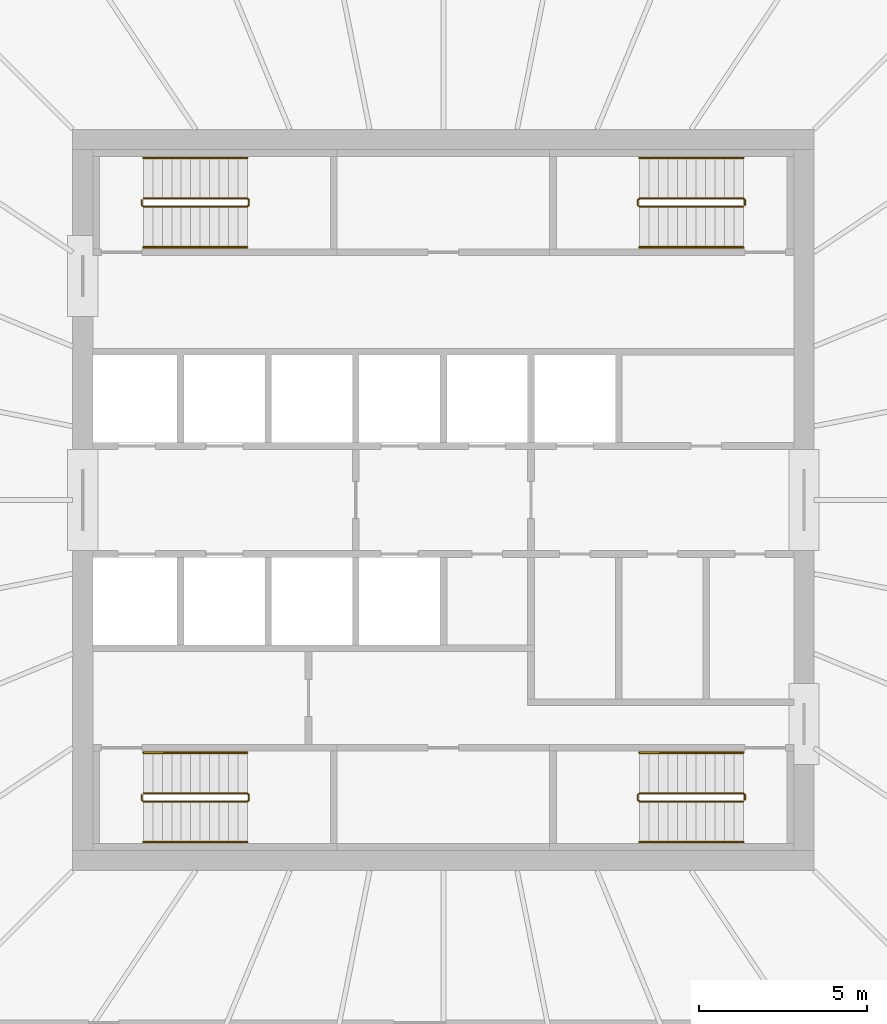
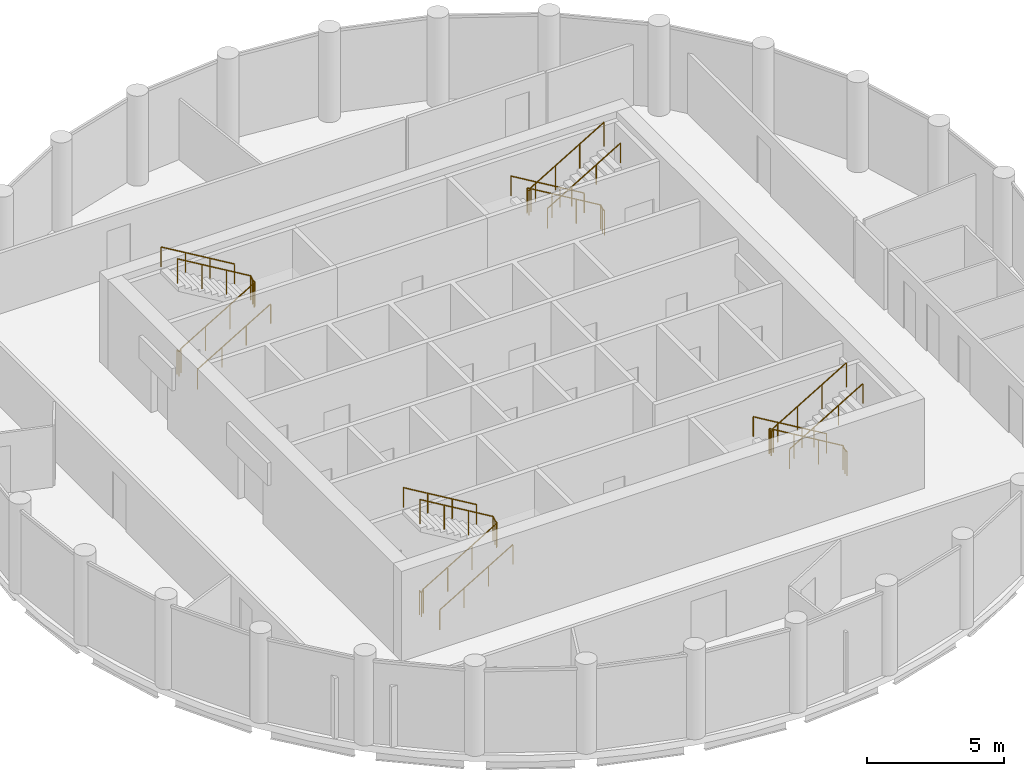
# One storey, part 7 of 7: 12 railings.
"""IFC4 building model written with IfcOpenShell, lengths in metres."""

from ifc_helpers import new_model, si_unit, direction, frame, origin, origin_2d, place, context, subcontext, project, spatial, circle, extrude, material, type_object, element, save


model = new_model("IFC4")

# Units and contexts
model_context = context("Model", 3, precision=1e-05, world=origin(), true_north=direction((0.0, 1.0)))
body_context = subcontext(model_context, "Body", "Model", "MODEL_VIEW")
ifc_project = project(units=[si_unit("LENGTHUNIT", "METRE"), si_unit("AREAUNIT", "SQUARE_METRE"), si_unit("VOLUMEUNIT", "CUBIC_METRE"), si_unit("PLANEANGLEUNIT", "RADIAN"), si_unit("MASSUNIT", "GRAM", prefix="KILO")], contexts=[model_context])

# Site, building, storey
site_placement = place(None, origin())
site = spatial("IfcSite", under=ifc_project, at=site_placement, CompositionType="ELEMENT")
building_placement = place(site_placement, origin())
building = spatial("IfcBuilding", under=site, at=building_placement, Name="Corvane Civic Tower", CompositionType="ELEMENT")
storey_placement = place(building_placement, frame((0.0, 0.0, 360.5)))
storey = spatial("IfcBuildingStorey", under=building, at=storey_placement, Name="L86", CompositionType="ELEMENT", Elevation=360.5)

# Railings
ifc_material_1 = material(Name="Steel ASTM A572 Gr 50", Category="steel")
railing_type_1 = type_object("IfcRailingType", Name="ST-GUARD-1100", PredefinedType="GUARDRAIL", material=ifc_material_1)
railing_1_placement = place(storey_placement, frame((8.949951171875, 8.75, 0.0)))
element("IfcRailing", 1, at=railing_1_placement, inside=storey, type_object=railing_type_1, Name="L86 ST1 stair guard 1", PredefinedType="GUARDRAIL", context=body_context, shape_type="SweptSolid", body=[
    extrude(circle(Radius=0.02392578125, at=origin_2d()), frame((0.0, 0.0, 1.076171875), z_axis=(0.0, 1.0, 0.0), x_axis=(-1.0, 0.0, 0.0)), (0.0, 0.0, 1.0), 0.14990234375),
    extrude(circle(Radius=0.02392578125, at=origin_2d()), frame((0.0, 0.14990234375, 1.076171875), z_axis=(-0.27628659633, 0.27628659633, 0.920506074601), x_axis=(-0.707106781187, -0.707106781187, 0.0)), (0.0, 0.0, 1.0), 0.18115234375),
    extrude(circle(Radius=0.02392578125, at=origin_2d()), frame((-0.050048828125, 0.199951171875, 1.24267578125), z_axis=(-0.859290745958, 0.0, 0.51148745235), x_axis=(0.0, -1.0, 0.0)), (0.0, 0.0, 1.0), 3.584228515625),
    extrude(circle(Radius=0.02392578125, at=origin_2d()), frame((-3.1298828125, 0.199951171875, 3.076171875), z_axis=(-0.707106781187, -0.707106781187, 0.0), x_axis=(0.707106781187, -0.707106781187, 0.0)), (0.0, 0.0, 1.0), 0.07080078125),
    extrude(circle(Radius=0.02392578125, at=origin_2d()), frame((-3.179931640625, 0.14990234375, 3.076171875), z_axis=(0.0, -1.0, 0.0), x_axis=(1.0, 0.0, 0.0)), (0.0, 0.0, 1.0), 0.14990234375),
    extrude(circle(Radius=0.02392578125, at=origin_2d()), frame((-3.179931640625, 0.0, 3.076171875), z_axis=(0.27628659633, -0.27628659633, 0.920506074601), x_axis=(0.707106781187, 0.707106781187, 0.0)), (0.0, 0.0, 1.0), 0.18115234375),
    extrude(circle(Radius=0.02392578125, at=origin_2d()), frame((-3.1298828125, -0.050048828125, 3.24267578125), z_axis=(0.859290745958, 0.0, 0.51148745235), x_axis=(0.0, 1.0, 0.0)), (0.0, 0.0, 1.0), 3.584228515625),
    extrude(circle(Radius=0.02099609375, at=origin_2d()), origin(), (0.0, 0.0, 1.0), 1.052001953125),
    extrude(circle(Radius=0.02099609375, at=origin_2d()), frame((0.0, 0.14990234375, 0.0)), (0.0, 0.0, 1.0), 1.052001953125),
    extrude(circle(Radius=0.02099609375, at=origin_2d()), frame((-0.050048828125, 0.199951171875, 0.166748046875)), (0.0, 0.0, 1.0), 1.052001953125),
    extrude(circle(Radius=0.02099609375, at=origin_2d()), frame((-1.07666015625, 0.199951171875, 0.77783203125)), (0.0, 0.0, 1.0), 1.052001953125),
    extrude(circle(Radius=0.02099609375, at=origin_2d()), frame((-2.103271484375, 0.199951171875, 1.388916015625)), (0.0, 0.0, 1.0), 1.052001953125),
    extrude(circle(Radius=0.02099609375, at=origin_2d()), frame((-3.1298828125, 0.199951171875, 2.0)), (0.0, 0.0, 1.0), 1.052001953125),
    extrude(circle(Radius=0.02099609375, at=origin_2d()), frame((-3.179931640625, 0.14990234375, 2.0)), (0.0, 0.0, 1.0), 1.052001953125),
    extrude(circle(Radius=0.02099609375, at=origin_2d()), frame((-3.179931640625, 0.0, 2.0)), (0.0, 0.0, 1.0), 1.052001953125),
    extrude(circle(Radius=0.02099609375, at=origin_2d()), frame((-3.1298828125, -0.050048828125, 2.166748046875)), (0.0, 0.0, 1.0), 1.052001953125),
    extrude(circle(Radius=0.02099609375, at=origin_2d()), frame((-2.103271484375, -0.050048828125, 2.77783203125)), (0.0, 0.0, 1.0), 1.052001953125),
    extrude(circle(Radius=0.02099609375, at=origin_2d()), frame((-1.07666015625, -0.050048828125, 3.388916015625)), (0.0, 0.0, 1.0), 1.052001953125),
    extrude(circle(Radius=0.02099609375, at=origin_2d()), frame((-0.050048828125, -0.050048828125, 4.0)), (0.0, 0.0, 1.0), 1.052001953125),
])
railing_2_placement = place(storey_placement, frame((8.949951171875, -8.89990234375, 0.0)))
element("IfcRailing", 2, at=railing_2_placement, inside=storey, type_object=railing_type_1, Name="L86 ST2 stair guard 1", PredefinedType="GUARDRAIL", context=body_context, shape_type="SweptSolid", body=[
    extrude(circle(Radius=0.02392578125, at=origin_2d()), frame((0.0, 0.0, 1.076171875), z_axis=(0.0, 1.0, 0.0), x_axis=(-1.0, 0.0, 0.0)), (0.0, 0.0, 1.0), 0.14990234375),
    extrude(circle(Radius=0.02392578125, at=origin_2d()), frame((0.0, 0.14990234375, 1.076171875), z_axis=(-0.27628659633, 0.27628659633, 0.920506074601), x_axis=(-0.707106781187, -0.707106781187, 0.0)), (0.0, 0.0, 1.0), 0.18115234375),
    extrude(circle(Radius=0.02392578125, at=origin_2d()), frame((-0.050048828125, 0.199951171875, 1.24267578125), z_axis=(-0.859290745958, 0.0, 0.51148745235), x_axis=(0.0, -1.0, 0.0)), (0.0, 0.0, 1.0), 3.584228515625),
    extrude(circle(Radius=0.02392578125, at=origin_2d()), frame((-3.1298828125, 0.199951171875, 3.076171875), z_axis=(-0.707106781187, -0.707106781187, 0.0), x_axis=(0.707106781187, -0.707106781187, 0.0)), (0.0, 0.0, 1.0), 0.07080078125),
    extrude(circle(Radius=0.02392578125, at=origin_2d()), frame((-3.179931640625, 0.14990234375, 3.076171875), z_axis=(0.0, -1.0, 0.0), x_axis=(1.0, 0.0, 0.0)), (0.0, 0.0, 1.0), 0.14990234375),
    extrude(circle(Radius=0.02392578125, at=origin_2d()), frame((-3.179931640625, 0.0, 3.076171875), z_axis=(0.27628659633, -0.27628659633, 0.920506074601), x_axis=(0.707106781187, 0.707106781187, 0.0)), (0.0, 0.0, 1.0), 0.18115234375),
    extrude(circle(Radius=0.02392578125, at=origin_2d()), frame((-3.1298828125, -0.050048828125, 3.24267578125), z_axis=(0.859290745958, 0.0, 0.51148745235), x_axis=(0.0, 1.0, 0.0)), (0.0, 0.0, 1.0), 3.584228515625),
    extrude(circle(Radius=0.02099609375, at=origin_2d()), origin(), (0.0, 0.0, 1.0), 1.052001953125),
    extrude(circle(Radius=0.02099609375, at=origin_2d()), frame((0.0, 0.14990234375, 0.0)), (0.0, 0.0, 1.0), 1.052001953125),
    extrude(circle(Radius=0.02099609375, at=origin_2d()), frame((-0.050048828125, 0.199951171875, 0.166748046875)), (0.0, 0.0, 1.0), 1.052001953125),
    extrude(circle(Radius=0.02099609375, at=origin_2d()), frame((-1.07666015625, 0.199951171875, 0.77783203125)), (0.0, 0.0, 1.0), 1.052001953125),
    extrude(circle(Radius=0.02099609375, at=origin_2d()), frame((-2.103271484375, 0.199951171875, 1.388916015625)), (0.0, 0.0, 1.0), 1.052001953125),
    extrude(circle(Radius=0.02099609375, at=origin_2d()), frame((-3.1298828125, 0.199951171875, 2.0)), (0.0, 0.0, 1.0), 1.052001953125),
    extrude(circle(Radius=0.02099609375, at=origin_2d()), frame((-3.179931640625, 0.14990234375, 2.0)), (0.0, 0.0, 1.0), 1.052001953125),
    extrude(circle(Radius=0.02099609375, at=origin_2d()), frame((-3.179931640625, 0.0, 2.0)), (0.0, 0.0, 1.0), 1.052001953125),
    extrude(circle(Radius=0.02099609375, at=origin_2d()), frame((-3.1298828125, -0.050048828125, 2.166748046875)), (0.0, 0.0, 1.0), 1.052001953125),
    extrude(circle(Radius=0.02099609375, at=origin_2d()), frame((-2.103271484375, -0.050048828125, 2.77783203125)), (0.0, 0.0, 1.0), 1.052001953125),
    extrude(circle(Radius=0.02099609375, at=origin_2d()), frame((-1.07666015625, -0.050048828125, 3.388916015625)), (0.0, 0.0, 1.0), 1.052001953125),
    extrude(circle(Radius=0.02099609375, at=origin_2d()), frame((-0.050048828125, -0.050048828125, 4.0)), (0.0, 0.0, 1.0), 1.052001953125),
])
railing_3_placement = place(storey_placement, frame((-8.949951171875, -8.75, 0.0)))
element("IfcRailing", 3, at=railing_3_placement, inside=storey, type_object=railing_type_1, Name="L86 ST3 stair guard 1", PredefinedType="GUARDRAIL", context=body_context, shape_type="SweptSolid", body=[
    extrude(circle(Radius=0.02392578125, at=origin_2d()), frame((0.0, 0.0, 1.076171875), z_axis=(0.0, -1.0, 0.0), x_axis=(1.0, 0.0, 0.0)), (0.0, 0.0, 1.0), 0.14990234375),
    extrude(circle(Radius=0.02392578125, at=origin_2d()), frame((0.0, -0.14990234375, 1.076171875), z_axis=(0.27628659633, -0.27628659633, 0.920506074601), x_axis=(0.707106781187, 0.707106781187, 0.0)), (0.0, 0.0, 1.0), 0.18115234375),
    extrude(circle(Radius=0.02392578125, at=origin_2d()), frame((0.050048828125, -0.199951171875, 1.24267578125), z_axis=(0.859290745958, 0.0, 0.51148745235), x_axis=(0.0, 1.0, 0.0)), (0.0, 0.0, 1.0), 3.584228515625),
    extrude(circle(Radius=0.02392578125, at=origin_2d()), frame((3.1298828125, -0.199951171875, 3.076171875), z_axis=(0.707106781187, 0.707106781187, 0.0), x_axis=(-0.707106781187, 0.707106781187, 0.0)), (0.0, 0.0, 1.0), 0.07080078125),
    extrude(circle(Radius=0.02392578125, at=origin_2d()), frame((3.179931640625, -0.14990234375, 3.076171875), z_axis=(0.0, 1.0, 0.0), x_axis=(-1.0, 0.0, 0.0)), (0.0, 0.0, 1.0), 0.14990234375),
    extrude(circle(Radius=0.02392578125, at=origin_2d()), frame((3.179931640625, 0.0, 3.076171875), z_axis=(-0.27628659633, 0.27628659633, 0.920506074601), x_axis=(-0.707106781187, -0.707106781187, 0.0)), (0.0, 0.0, 1.0), 0.18115234375),
    extrude(circle(Radius=0.02392578125, at=origin_2d()), frame((3.1298828125, 0.050048828125, 3.24267578125), z_axis=(-0.859290745958, 0.0, 0.51148745235), x_axis=(0.0, -1.0, 0.0)), (0.0, 0.0, 1.0), 3.584228515625),
    extrude(circle(Radius=0.02099609375, at=origin_2d()), origin(), (0.0, 0.0, 1.0), 1.052001953125),
    extrude(circle(Radius=0.02099609375, at=origin_2d()), frame((0.0, -0.14990234375, 0.0)), (0.0, 0.0, 1.0), 1.052001953125),
    extrude(circle(Radius=0.02099609375, at=origin_2d()), frame((0.050048828125, -0.199951171875, 0.166748046875)), (0.0, 0.0, 1.0), 1.052001953125),
    extrude(circle(Radius=0.02099609375, at=origin_2d()), frame((1.07666015625, -0.199951171875, 0.77783203125)), (0.0, 0.0, 1.0), 1.052001953125),
    extrude(circle(Radius=0.02099609375, at=origin_2d()), frame((2.103271484375, -0.199951171875, 1.388916015625)), (0.0, 0.0, 1.0), 1.052001953125),
    extrude(circle(Radius=0.02099609375, at=origin_2d()), frame((3.1298828125, -0.199951171875, 2.0)), (0.0, 0.0, 1.0), 1.052001953125),
    extrude(circle(Radius=0.02099609375, at=origin_2d()), frame((3.179931640625, -0.14990234375, 2.0)), (0.0, 0.0, 1.0), 1.052001953125),
    extrude(circle(Radius=0.02099609375, at=origin_2d()), frame((3.179931640625, 0.0, 2.0)), (0.0, 0.0, 1.0), 1.052001953125),
    extrude(circle(Radius=0.02099609375, at=origin_2d()), frame((3.1298828125, 0.050048828125, 2.166748046875)), (0.0, 0.0, 1.0), 1.052001953125),
    extrude(circle(Radius=0.02099609375, at=origin_2d()), frame((2.103271484375, 0.050048828125, 2.77783203125)), (0.0, 0.0, 1.0), 1.052001953125),
    extrude(circle(Radius=0.02099609375, at=origin_2d()), frame((1.07666015625, 0.050048828125, 3.388916015625)), (0.0, 0.0, 1.0), 1.052001953125),
    extrude(circle(Radius=0.02099609375, at=origin_2d()), frame((0.050048828125, 0.050048828125, 4.0)), (0.0, 0.0, 1.0), 1.052001953125),
])
railing_4_placement = place(storey_placement, frame((-8.949951171875, 8.89990234375, 0.0)))
element("IfcRailing", 4, at=railing_4_placement, inside=storey, type_object=railing_type_1, Name="L86 ST4 stair guard 1", PredefinedType="GUARDRAIL", context=body_context, shape_type="SweptSolid", body=[
    extrude(circle(Radius=0.02392578125, at=origin_2d()), frame((0.0, 0.0, 1.076171875), z_axis=(0.0, -1.0, 0.0), x_axis=(1.0, 0.0, 0.0)), (0.0, 0.0, 1.0), 0.14990234375),
    extrude(circle(Radius=0.02392578125, at=origin_2d()), frame((0.0, -0.14990234375, 1.076171875), z_axis=(0.27628659633, -0.27628659633, 0.920506074601), x_axis=(0.707106781187, 0.707106781187, 0.0)), (0.0, 0.0, 1.0), 0.18115234375),
    extrude(circle(Radius=0.02392578125, at=origin_2d()), frame((0.050048828125, -0.199951171875, 1.24267578125), z_axis=(0.859290745958, 0.0, 0.51148745235), x_axis=(0.0, 1.0, 0.0)), (0.0, 0.0, 1.0), 3.584228515625),
    extrude(circle(Radius=0.02392578125, at=origin_2d()), frame((3.1298828125, -0.199951171875, 3.076171875), z_axis=(0.707106781187, 0.707106781187, 0.0), x_axis=(-0.707106781187, 0.707106781187, 0.0)), (0.0, 0.0, 1.0), 0.07080078125),
    extrude(circle(Radius=0.02392578125, at=origin_2d()), frame((3.179931640625, -0.14990234375, 3.076171875), z_axis=(0.0, 1.0, 0.0), x_axis=(-1.0, 0.0, 0.0)), (0.0, 0.0, 1.0), 0.14990234375),
    extrude(circle(Radius=0.02392578125, at=origin_2d()), frame((3.179931640625, 0.0, 3.076171875), z_axis=(-0.27628659633, 0.27628659633, 0.920506074601), x_axis=(-0.707106781187, -0.707106781187, 0.0)), (0.0, 0.0, 1.0), 0.18115234375),
    extrude(circle(Radius=0.02392578125, at=origin_2d()), frame((3.1298828125, 0.050048828125, 3.24267578125), z_axis=(-0.859290745958, 0.0, 0.51148745235), x_axis=(0.0, -1.0, 0.0)), (0.0, 0.0, 1.0), 3.584228515625),
    extrude(circle(Radius=0.02099609375, at=origin_2d()), origin(), (0.0, 0.0, 1.0), 1.052001953125),
    extrude(circle(Radius=0.02099609375, at=origin_2d()), frame((0.0, -0.14990234375, 0.0)), (0.0, 0.0, 1.0), 1.052001953125),
    extrude(circle(Radius=0.02099609375, at=origin_2d()), frame((0.050048828125, -0.199951171875, 0.166748046875)), (0.0, 0.0, 1.0), 1.052001953125),
    extrude(circle(Radius=0.02099609375, at=origin_2d()), frame((1.07666015625, -0.199951171875, 0.77783203125)), (0.0, 0.0, 1.0), 1.052001953125),
    extrude(circle(Radius=0.02099609375, at=origin_2d()), frame((2.103271484375, -0.199951171875, 1.388916015625)), (0.0, 0.0, 1.0), 1.052001953125),
    extrude(circle(Radius=0.02099609375, at=origin_2d()), frame((3.1298828125, -0.199951171875, 2.0)), (0.0, 0.0, 1.0), 1.052001953125),
    extrude(circle(Radius=0.02099609375, at=origin_2d()), frame((3.179931640625, -0.14990234375, 2.0)), (0.0, 0.0, 1.0), 1.052001953125),
    extrude(circle(Radius=0.02099609375, at=origin_2d()), frame((3.179931640625, 0.0, 2.0)), (0.0, 0.0, 1.0), 1.052001953125),
    extrude(circle(Radius=0.02099609375, at=origin_2d()), frame((3.1298828125, 0.050048828125, 2.166748046875)), (0.0, 0.0, 1.0), 1.052001953125),
    extrude(circle(Radius=0.02099609375, at=origin_2d()), frame((2.103271484375, 0.050048828125, 2.77783203125)), (0.0, 0.0, 1.0), 1.052001953125),
    extrude(circle(Radius=0.02099609375, at=origin_2d()), frame((1.07666015625, 0.050048828125, 3.388916015625)), (0.0, 0.0, 1.0), 1.052001953125),
    extrude(circle(Radius=0.02099609375, at=origin_2d()), frame((0.050048828125, 0.050048828125, 4.0)), (0.0, 0.0, 1.0), 1.052001953125),
])
ifc_material_2 = material(Name="Steel ASTM A572 Gr 50", Category="steel")
railing_type_2 = type_object("IfcRailingType", Name="ST-HANDRAIL-900", PredefinedType="HANDRAIL", material=ifc_material_2)
railing_5_placement = place(storey_placement, frame((8.89990234375, 10.14990234375, 0.166748046875)))
element("IfcRailing", 5, at=railing_5_placement, inside=storey, type_object=railing_type_2, Name="L86 ST1 stair handrail 1", PredefinedType="HANDRAIL", context=body_context, shape_type="SweptSolid", body=[
    extrude(circle(Radius=0.02392578125, at=origin_2d()), frame((0.0, 0.0, 0.8759765625), z_axis=(-0.859290745958, 0.0, 0.51148745235), x_axis=(0.0, -1.0, 0.0)), (0.0, 0.0, 1.0), 3.584228515625),
    extrude(circle(Radius=0.02099609375, at=origin_2d()), origin(), (0.0, 0.0, 1.0), 0.851806640625),
    extrude(circle(Radius=0.02099609375, at=origin_2d()), frame((-1.026611328125, 0.0, 0.611083984375)), (0.0, 0.0, 1.0), 0.851806640625),
    extrude(circle(Radius=0.02099609375, at=origin_2d()), frame((-2.05322265625, 0.0, 1.22216796875)), (0.0, 0.0, 1.0), 0.851806640625),
    extrude(circle(Radius=0.02099609375, at=origin_2d()), frame((-3.079833984375, 0.0, 1.833251953125)), (0.0, 0.0, 1.0), 0.851806640625),
])
railing_6_placement = place(storey_placement, frame((5.820068359375, 7.5, 2.166748046875)))
element("IfcRailing", 6, at=railing_6_placement, inside=storey, type_object=railing_type_2, Name="L86 ST1 stair handrail 2", PredefinedType="HANDRAIL", context=body_context, shape_type="SweptSolid", body=[
    extrude(circle(Radius=0.02392578125, at=origin_2d()), frame((0.0, 0.0, 0.8759765625), z_axis=(0.859290745958, 0.0, 0.51148745235), x_axis=(0.0, 1.0, 0.0)), (0.0, 0.0, 1.0), 3.584228515625),
    extrude(circle(Radius=0.02099609375, at=origin_2d()), origin(), (0.0, 0.0, 1.0), 0.851806640625),
    extrude(circle(Radius=0.02099609375, at=origin_2d()), frame((1.026611328125, 0.0, 0.611083984375)), (0.0, 0.0, 1.0), 0.851806640625),
    extrude(circle(Radius=0.02099609375, at=origin_2d()), frame((2.05322265625, 0.0, 1.22216796875)), (0.0, 0.0, 1.0), 0.851806640625),
    extrude(circle(Radius=0.02099609375, at=origin_2d()), frame((3.079833984375, 0.0, 1.833251953125)), (0.0, 0.0, 1.0), 0.851806640625),
])
railing_7_placement = place(storey_placement, frame((8.89990234375, -7.5, 0.166748046875)))
element("IfcRailing", 7, at=railing_7_placement, inside=storey, type_object=railing_type_2, Name="L86 ST2 stair handrail 1", PredefinedType="HANDRAIL", context=body_context, shape_type="SweptSolid", body=[
    extrude(circle(Radius=0.02392578125, at=origin_2d()), frame((0.0, 0.0, 0.8759765625), z_axis=(-0.859290745958, 0.0, 0.51148745235), x_axis=(0.0, -1.0, 0.0)), (0.0, 0.0, 1.0), 3.584228515625),
    extrude(circle(Radius=0.02099609375, at=origin_2d()), origin(), (0.0, 0.0, 1.0), 0.851806640625),
    extrude(circle(Radius=0.02099609375, at=origin_2d()), frame((-1.026611328125, 0.0, 0.611083984375)), (0.0, 0.0, 1.0), 0.851806640625),
    extrude(circle(Radius=0.02099609375, at=origin_2d()), frame((-2.05322265625, 0.0, 1.22216796875)), (0.0, 0.0, 1.0), 0.851806640625),
    extrude(circle(Radius=0.02099609375, at=origin_2d()), frame((-3.079833984375, 0.0, 1.833251953125)), (0.0, 0.0, 1.0), 0.851806640625),
])
for number, where, name in (
    (8, (5.820068359375, -10.14990234375, 2.166748046875), "L86 ST2 stair handrail 2"),
    (9, (-8.89990234375, -10.14990234375, 0.166748046875), "L86 ST3 stair handrail 1"),
):
    element("IfcRailing", number, at=place(storey_placement, frame(where)), inside=storey, type_object=railing_type_2, Name=name, PredefinedType="HANDRAIL", context=body_context, shape_type="SweptSolid", body=[
        extrude(circle(Radius=0.02392578125, at=origin_2d()), frame((0.0, 0.0, 0.8759765625), z_axis=(0.859290745958, 0.0, 0.51148745235), x_axis=(0.0, 1.0, 0.0)), (0.0, 0.0, 1.0), 3.584228515625),
        extrude(circle(Radius=0.02099609375, at=origin_2d()), origin(), (0.0, 0.0, 1.0), 0.851806640625),
        extrude(circle(Radius=0.02099609375, at=origin_2d()), frame((1.026611328125, 0.0, 0.611083984375)), (0.0, 0.0, 1.0), 0.851806640625),
        extrude(circle(Radius=0.02099609375, at=origin_2d()), frame((2.05322265625, 0.0, 1.22216796875)), (0.0, 0.0, 1.0), 0.851806640625),
        extrude(circle(Radius=0.02099609375, at=origin_2d()), frame((3.079833984375, 0.0, 1.833251953125)), (0.0, 0.0, 1.0), 0.851806640625),
    ])
railing_8_placement = place(storey_placement, frame((-5.820068359375, -7.5, 2.166748046875)))
element("IfcRailing", 10, at=railing_8_placement, inside=storey, type_object=railing_type_2, Name="L86 ST3 stair handrail 2", PredefinedType="HANDRAIL", context=body_context, shape_type="SweptSolid", body=[
    extrude(circle(Radius=0.02392578125, at=origin_2d()), frame((0.0, 0.0, 0.8759765625), z_axis=(-0.859290745958, 0.0, 0.51148745235), x_axis=(0.0, -1.0, 0.0)), (0.0, 0.0, 1.0), 3.584228515625),
    extrude(circle(Radius=0.02099609375, at=origin_2d()), origin(), (0.0, 0.0, 1.0), 0.851806640625),
    extrude(circle(Radius=0.02099609375, at=origin_2d()), frame((-1.026611328125, 0.0, 0.611083984375)), (0.0, 0.0, 1.0), 0.851806640625),
    extrude(circle(Radius=0.02099609375, at=origin_2d()), frame((-2.05322265625, 0.0, 1.22216796875)), (0.0, 0.0, 1.0), 0.851806640625),
    extrude(circle(Radius=0.02099609375, at=origin_2d()), frame((-3.079833984375, 0.0, 1.833251953125)), (0.0, 0.0, 1.0), 0.851806640625),
])
railing_9_placement = place(storey_placement, frame((-8.89990234375, 7.5, 0.166748046875)))
element("IfcRailing", 11, at=railing_9_placement, inside=storey, type_object=railing_type_2, Name="L86 ST4 stair handrail 1", PredefinedType="HANDRAIL", context=body_context, shape_type="SweptSolid", body=[
    extrude(circle(Radius=0.02392578125, at=origin_2d()), frame((0.0, 0.0, 0.8759765625), z_axis=(0.859290745958, 0.0, 0.51148745235), x_axis=(0.0, 1.0, 0.0)), (0.0, 0.0, 1.0), 3.584228515625),
    extrude(circle(Radius=0.02099609375, at=origin_2d()), origin(), (0.0, 0.0, 1.0), 0.851806640625),
    extrude(circle(Radius=0.02099609375, at=origin_2d()), frame((1.026611328125, 0.0, 0.611083984375)), (0.0, 0.0, 1.0), 0.851806640625),
    extrude(circle(Radius=0.02099609375, at=origin_2d()), frame((2.05322265625, 0.0, 1.22216796875)), (0.0, 0.0, 1.0), 0.851806640625),
    extrude(circle(Radius=0.02099609375, at=origin_2d()), frame((3.079833984375, 0.0, 1.833251953125)), (0.0, 0.0, 1.0), 0.851806640625),
])
railing_10_placement = place(storey_placement, frame((-5.820068359375, 10.14990234375, 2.166748046875)))
element("IfcRailing", 12, at=railing_10_placement, inside=storey, type_object=railing_type_2, Name="L86 ST4 stair handrail 2", PredefinedType="HANDRAIL", context=body_context, shape_type="SweptSolid", body=[
    extrude(circle(Radius=0.02392578125, at=origin_2d()), frame((0.0, 0.0, 0.8759765625), z_axis=(-0.859290745958, 0.0, 0.51148745235), x_axis=(0.0, -1.0, 0.0)), (0.0, 0.0, 1.0), 3.584228515625),
    extrude(circle(Radius=0.02099609375, at=origin_2d()), origin(), (0.0, 0.0, 1.0), 0.851806640625),
    extrude(circle(Radius=0.02099609375, at=origin_2d()), frame((-1.026611328125, 0.0, 0.611083984375)), (0.0, 0.0, 1.0), 0.851806640625),
    extrude(circle(Radius=0.02099609375, at=origin_2d()), frame((-2.05322265625, 0.0, 1.22216796875)), (0.0, 0.0, 1.0), 0.851806640625),
    extrude(circle(Radius=0.02099609375, at=origin_2d()), frame((-3.079833984375, 0.0, 1.833251953125)), (0.0, 0.0, 1.0), 0.851806640625),
])

save(model, "model.ifc")
